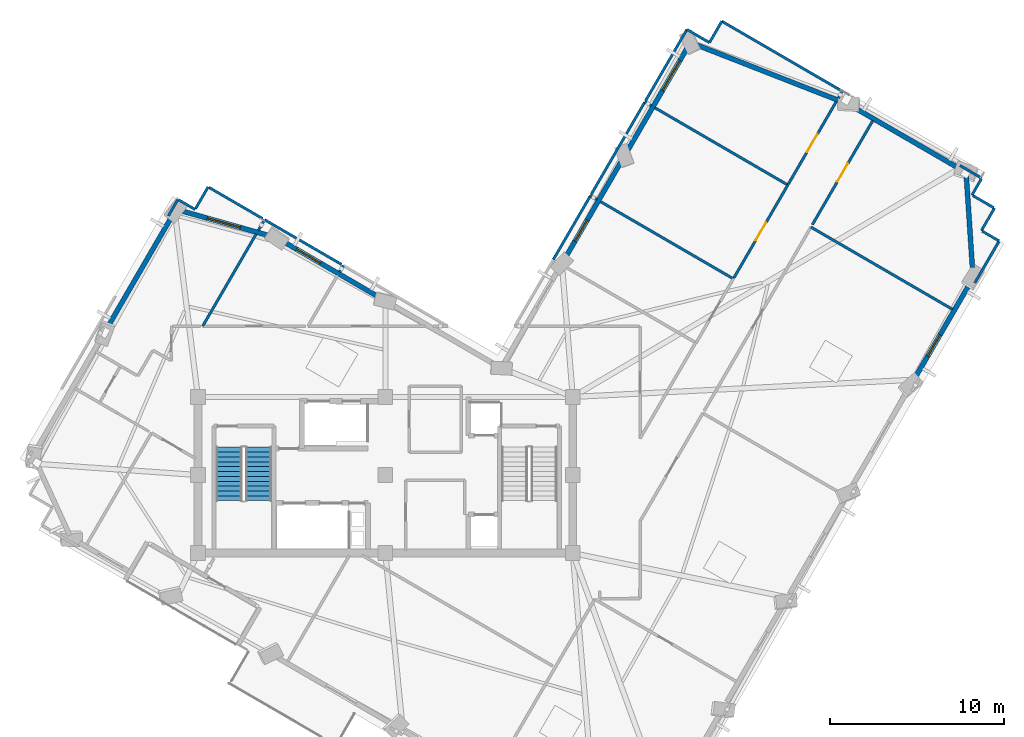
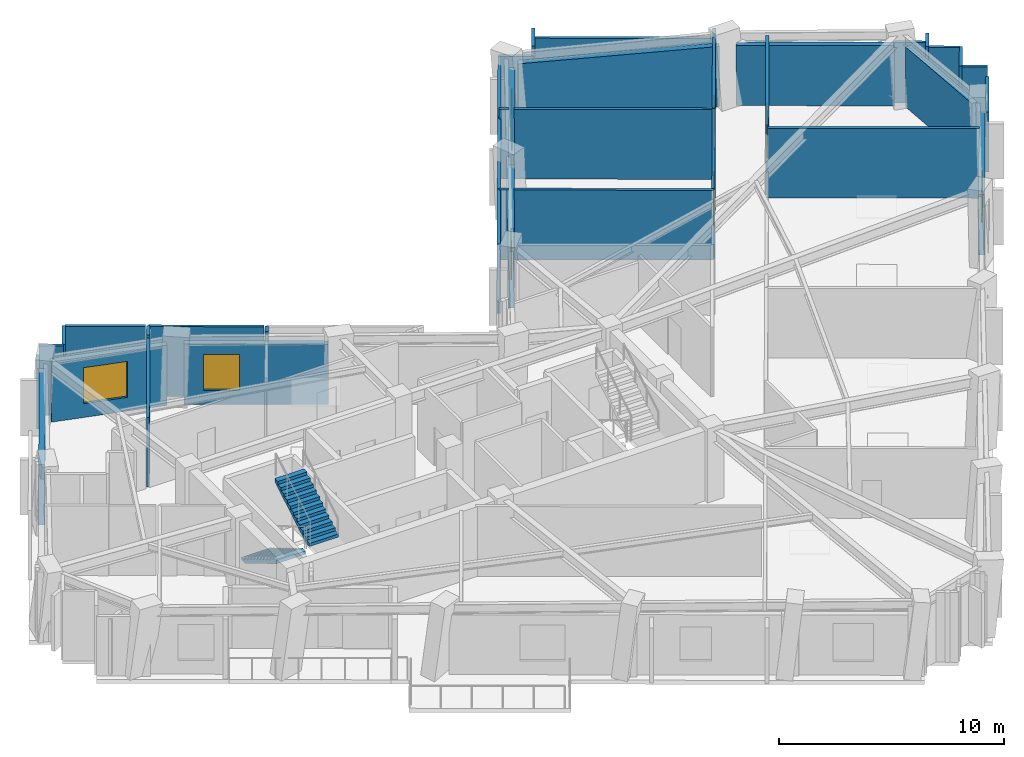
# One storey, part 7 of 12: 38 walls, 5 windows, 3 doors, 2 stair flights, 8 openings, 1 element without a shape of its own.
"""IFC4 building model written with IfcOpenShell, lengths in metres."""

from ifc_helpers import new_model, si_unit, direction, frame, frame_2d, origin, place, context, subcontext, project, spatial, polyline, rectangle, outline, extrude, material, layer, layer_set, type_object, element, fill, aggregate, save


model = new_model("IFC4")

# Units and contexts
model_context = context("Model", 3, precision=1e-05, world=origin(), true_north=direction((0.0, 1.0)))
body_context = subcontext(model_context, "Body", "Model", "MODEL_VIEW")
ifc_project = project(units=[si_unit("LENGTHUNIT", "METRE"), si_unit("AREAUNIT", "SQUARE_METRE"), si_unit("VOLUMEUNIT", "CUBIC_METRE"), si_unit("PLANEANGLEUNIT", "RADIAN"), si_unit("MASSUNIT", "GRAM", prefix="KILO")], contexts=[model_context])

# Site, building, storey
site_placement = place(None, origin())
site = spatial("IfcSite", under=ifc_project, at=site_placement, CompositionType="ELEMENT")
building_placement = place(site_placement, origin())
building = spatial("IfcBuilding", under=site, at=building_placement, Name="Gaonmaruhae Medical Tower", CompositionType="ELEMENT")
storey_placement = place(building_placement, frame((0.0, 0.0, 280.60009765625)))
storey = spatial("IfcBuildingStorey", under=building, at=storey_placement, Name="L67", CompositionType="ELEMENT", Elevation=280.60009765625)

# Wall, opening, window
ifc_material_1 = material(Name="Precast concrete C45/55", Category="concrete")
ifc_layer_1 = layer(ifc_material_1, 0.280029296875)
ifc_layer_set_1 = layer_set([ifc_layer_1], Name="Precast concrete C45/55")
wall_type_1 = type_object("IfcWallType", Name="EW-280 Upper Precast Masonry-Frame Facade Wall", PredefinedType="SOLIDWALL", material=ifc_layer_set_1)
wall_1_placement = place(storey_placement, frame((58.564697265625, 23.48095703125, 0.0), z_axis=(0.0, 0.0, 1.0), x_axis=(-0.502254807132, -0.864719670594, 0.0)))
wall_1 = element("IfcWall", 1, at=wall_1_placement, inside=storey, type_object=wall_type_1, Name="L67 Precast Masonry-Frame Wall S05-S06", PredefinedType="SOLIDWALL", context=body_context, shape_type="SweptSolid", body=[
    extrude(rectangle(XDim=6.418212890625, YDim=0.280029296875, at=frame_2d((3.208984375, 0.0))), origin(), (0.0, 0.0, 1.0), 3.264892578125),
])
opening_1_placement = place(wall_1_placement, frame((3.593017578125, 0.0, 0.75)))
opening_1 = element("IfcOpeningElement", 2, at=opening_1_placement, cuts=wall_1, Name="Opening WN-03", PredefinedType="OPENING", context=body_context, shape_type="SweptSolid", body=[
    extrude(rectangle(XDim=1.39990234375, YDim=1.85009765625, at=frame_2d((0.699951171875, 0.925048828125))), frame((0.0, 0.14990234375, 0.0), z_axis=(0.0, -1.0, 0.0), x_axis=(1.0, 0.0, 0.0)), (0.0, 0.0, 1.0), 0.300048828125),
])
ifc_material_2 = material(Name="Anodised aluminium and Low-E double glazing", Category="aluminium")
window_type_1 = type_object("IfcWindowType", Name="WN-03 Isolation Ward Punched Window 1400x1850", PartitioningType="SINGLE_PANEL", PredefinedType="WINDOW", material=ifc_material_2)
window_1_placement = place(opening_1_placement, origin())
window_1 = element("IfcWindow", 3, at=window_1_placement, inside=storey, type_object=window_type_1, Name="L67 Modular Facade Window S05", OverallHeight=1.85009765625, OverallWidth=1.39990234375, PartitioningType="SINGLE_PANEL", PredefinedType="WINDOW", context=body_context, shape_type="SweptSolid", body=[
    extrude(rectangle(XDim=1.39990234375, YDim=1.85009765625, at=frame_2d((0.699951171875, 0.925048828125))), frame((0.0, 0.030029296875, 0.0), z_axis=(0.0, -1.0, 0.0), x_axis=(1.0, 0.0, 0.0)), (0.0, 0.0, 1.0), 0.06005859375),
])
fill(opening_1, window_1)

# Walls
wall_2_placement = place(storey_placement, frame((58.275146484375, 29.540283203125, 0.0), z_axis=(0.0, 0.0, 1.0), x_axis=(0.066313938445, -0.997798808161, 0.0)))
element("IfcWall", 4, at=wall_2_placement, inside=storey, type_object=wall_type_1, Name="L67 Precast Masonry-Frame Wall S06-E01", PredefinedType="SOLIDWALL", context=body_context, shape_type="SweptSolid", body=[
    extrude(rectangle(XDim=5.294189453125, YDim=0.280029296875, at=frame_2d((2.64697265625, 0.0))), origin(), (0.0, 0.0, 1.0), 3.264892578125),
])
wall_3_placement = place(storey_placement, frame((51.732421875, 33.522705078125, 0.0), z_axis=(0.0, 0.0, 1.0), x_axis=(0.864724875951, -0.502245845091, 0.0)))
element("IfcWall", 5, at=wall_3_placement, inside=storey, type_object=wall_type_1, Name="L67 Precast Masonry-Frame Wall E01-E02", PredefinedType="SOLIDWALL", context=body_context, shape_type="SweptSolid", body=[
    extrude(rectangle(XDim=7.04638671875, YDim=0.280029296875, at=frame_2d((3.523193359375, 0.0))), origin(), (0.0, 0.0, 1.0), 3.264892578125),
])
wall_4_placement = place(storey_placement, frame((42.631591796875, 37.12255859375, 0.0), z_axis=(0.0, 0.0, 1.0), x_axis=(0.931312918813, -0.364220053335, 0.0)))
element("IfcWall", 6, at=wall_4_placement, inside=storey, type_object=wall_type_1, Name="L67 Precast Masonry-Frame Wall E02-E03", PredefinedType="SOLIDWALL", context=body_context, shape_type="SweptSolid", body=[
    extrude(rectangle(XDim=9.036376953125, YDim=0.280029296875, at=frame_2d((4.51806640625, 0.0))), origin(), (0.0, 0.0, 1.0), 3.264892578125),
])

# Wall, opening, window
wall_5_placement = place(storey_placement, frame((38.787109375, 31.04248046875, 0.0), z_axis=(0.0, 0.0, 1.0), x_axis=(0.502269295317, 0.864711255265, 0.0)))
wall_5 = element("IfcWall", 7, at=wall_5_placement, inside=storey, type_object=wall_type_1, Name="L67 Precast Masonry-Frame Wall E03-EN01", PredefinedType="SOLIDWALL", context=body_context, shape_type="SweptSolid", body=[
    extrude(rectangle(XDim=6.77978515625, YDim=0.280029296875, at=frame_2d((3.389892578125, 0.0))), origin(), (0.0, 0.0, 1.0), 3.264892578125),
])
opening_2_placement = place(wall_5_placement, frame((3.95263671875, 0.0, 0.75)))
opening_2 = element("IfcOpeningElement", 8, at=opening_2_placement, cuts=wall_5, Name="Opening WN-02", PredefinedType="OPENING", context=body_context, shape_type="SweptSolid", body=[
    extrude(rectangle(XDim=2.0, YDim=1.949951171875, at=frame_2d((1.0, 0.97509765625))), frame((0.0, 0.14990234375, 0.0), z_axis=(0.0, -1.0, 0.0), x_axis=(1.0, 0.0, 0.0)), (0.0, 0.0, 1.0), 0.300048828125),
])
window_type_2 = type_object("IfcWindowType", Name="WN-02 Double-Bed Ward Punched Window 2000x1950", PartitioningType="SINGLE_PANEL", PredefinedType="WINDOW", material=ifc_material_2)
window_2_placement = place(opening_2_placement, origin())
window_2 = element("IfcWindow", 9, at=window_2_placement, inside=storey, type_object=window_type_2, Name="L67 Modular Facade Window E03", OverallHeight=1.949951171875, OverallWidth=2.0, PartitioningType="SINGLE_PANEL", PredefinedType="WINDOW", context=body_context, shape_type="SweptSolid", body=[
    extrude(rectangle(XDim=2.0, YDim=1.949951171875, at=frame_2d((1.0, 0.97509765625))), frame((0.0, 0.030029296875, 0.0), z_axis=(0.0, -1.0, 0.0), x_axis=(1.0, 0.0, 0.0)), (0.0, 0.0, 1.0), 0.06005859375),
])
fill(opening_2, window_2)

wall_6_placement = place(storey_placement, frame((35.173583984375, 24.8212890625, 0.0), z_axis=(0.0, 0.0, 1.0), x_axis=(0.502271513322, 0.864709966928, 0.0)))
wall_6 = element("IfcWall", 10, at=wall_6_placement, inside=storey, type_object=wall_type_1, Name="L67 Precast Masonry-Frame Wall EN01-EN02", PredefinedType="SOLIDWALL", context=body_context, shape_type="SweptSolid", body=[
    extrude(rectangle(XDim=6.409423828125, YDim=0.280029296875, at=frame_2d((3.20458984375, 0.0))), origin(), (0.0, 0.0, 1.0), 3.264892578125),
])
opening_3_placement = place(wall_6_placement, frame((1.1005859375, 0.0, 0.75)))
opening_3 = element("IfcOpeningElement", 11, at=opening_3_placement, cuts=wall_6, Name="Opening WN-03", PredefinedType="OPENING", context=body_context, shape_type="SweptSolid", body=[
    extrude(rectangle(XDim=1.39990234375, YDim=1.85009765625, at=frame_2d((0.699951171875, 0.925048828125))), frame((0.0, 0.14990234375, 0.0), z_axis=(0.0, -1.0, 0.0), x_axis=(1.0, 0.0, 0.0)), (0.0, 0.0, 1.0), 0.300048828125),
])
window_3_placement = place(opening_3_placement, origin())
window_3 = element("IfcWindow", 12, at=window_3_placement, inside=storey, type_object=window_type_1, Name="L67 Modular Facade Window EN01", OverallHeight=1.85009765625, OverallWidth=1.39990234375, PartitioningType="SINGLE_PANEL", PredefinedType="WINDOW", context=body_context, shape_type="SweptSolid", body=[
    extrude(rectangle(XDim=1.39990234375, YDim=1.85009765625, at=frame_2d((0.699951171875, 0.925048828125))), frame((0.0, 0.030029296875, 0.0), z_axis=(0.0, -1.0, 0.0), x_axis=(1.0, 0.0, 0.0)), (0.0, 0.0, 1.0), 0.06005859375),
])
fill(opening_3, window_3)

wall_7_placement = place(storey_placement, frame((18.927490234375, 25.747802734375, 0.0), z_axis=(0.0, 0.0, 1.0), x_axis=(0.864706423905, -0.502277612936, 0.0)))
wall_7 = element("IfcWall", 13, at=wall_7_placement, inside=storey, type_object=wall_type_1, Name="L67 Precast Masonry-Frame Wall NE01-NE02", PredefinedType="SOLIDWALL", context=body_context, shape_type="SweptSolid", body=[
    extrude(rectangle(XDim=6.42431640625, YDim=0.280029296875, at=frame_2d((3.212158203125, 0.0))), origin(), (0.0, 0.0, 1.0), 3.264892578125),
])
opening_4_placement = place(wall_7_placement, frame((0.876220703125, 0.0, 0.75)))
opening_4 = element("IfcOpeningElement", 14, at=opening_4_placement, cuts=wall_7, Name="Opening WN-01", PredefinedType="OPENING", context=body_context, shape_type="SweptSolid", body=[
    extrude(rectangle(XDim=1.60009765625, YDim=1.949951171875, at=frame_2d((0.800048828125, 0.97509765625))), frame((0.0, 0.14990234375, 0.0), z_axis=(0.0, -1.0, 0.0), x_axis=(1.0, 0.0, 0.0)), (0.0, 0.0, 1.0), 0.300048828125),
])
window_type_3 = type_object("IfcWindowType", Name="WN-01 Ward Punched Acoustic Window 1600x1950", PartitioningType="SINGLE_PANEL", PredefinedType="WINDOW", material=ifc_material_2)
window_4_placement = place(opening_4_placement, origin())
window_4 = element("IfcWindow", 15, at=window_4_placement, inside=storey, type_object=window_type_3, Name="L67 Modular Facade Window NE01", OverallHeight=1.949951171875, OverallWidth=1.60009765625, PartitioningType="SINGLE_PANEL", PredefinedType="WINDOW", context=body_context, shape_type="SweptSolid", body=[
    extrude(rectangle(XDim=1.60009765625, YDim=1.949951171875, at=frame_2d((0.800048828125, 0.97509765625))), frame((0.0, 0.030029296875, 0.0), z_axis=(0.0, -1.0, 0.0), x_axis=(1.0, 0.0, 0.0)), (0.0, 0.0, 1.0), 0.06005859375),
])
fill(opening_4, window_4)

wall_8_placement = place(storey_placement, frame((13.10791015625, 27.503662109375, 0.0), z_axis=(0.0, 0.0, 1.0), x_axis=(0.962367273923, -0.271752148256, 0.0)))
wall_8 = element("IfcWall", 16, at=wall_8_placement, inside=storey, type_object=wall_type_1, Name="L67 Precast Masonry-Frame Wall NE02-N01", PredefinedType="SOLIDWALL", context=body_context, shape_type="SweptSolid", body=[
    extrude(rectangle(XDim=5.30224609375, YDim=0.280029296875, at=frame_2d((2.651123046875, 0.0))), origin(), (0.0, 0.0, 1.0), 3.264892578125),
])
opening_5_placement = place(wall_8_placement, frame((1.475341796875, 0.0, 0.75)))
opening_5 = element("IfcOpeningElement", 17, at=opening_5_placement, cuts=wall_8, Name="Opening WN-02", PredefinedType="OPENING", context=body_context, shape_type="SweptSolid", body=[
    extrude(rectangle(XDim=2.0, YDim=1.949951171875, at=frame_2d((1.0, 0.97509765625))), frame((0.0, 0.14990234375, 0.0), z_axis=(0.0, -1.0, 0.0), x_axis=(1.0, 0.0, 0.0)), (0.0, 0.0, 1.0), 0.300048828125),
])
window_5_placement = place(opening_5_placement, origin())
window_5 = element("IfcWindow", 18, at=window_5_placement, inside=storey, type_object=window_type_2, Name="L67 Modular Facade Window NE02", OverallHeight=1.949951171875, OverallWidth=2.0, PartitioningType="SINGLE_PANEL", PredefinedType="WINDOW", context=body_context, shape_type="SweptSolid", body=[
    extrude(rectangle(XDim=2.0, YDim=1.949951171875, at=frame_2d((1.0, 0.97509765625))), frame((0.0, 0.030029296875, 0.0), z_axis=(0.0, -1.0, 0.0), x_axis=(1.0, 0.0, 0.0)), (0.0, 0.0, 1.0), 0.06005859375),
])
fill(opening_5, window_5)

# Walls
wall_9_placement = place(storey_placement, frame((8.726806640625, 20.701904296875, 0.0), z_axis=(0.0, 0.0, 1.0), x_axis=(0.502244841537, 0.86472545883, 0.0)))
element("IfcWall", 19, at=wall_9_placement, inside=storey, type_object=wall_type_1, Name="L67 Precast Masonry-Frame Wall N01-N02", PredefinedType="SOLIDWALL", context=body_context, shape_type="SweptSolid", body=[
    extrude(rectangle(XDim=7.434326171875, YDim=0.280029296875, at=frame_2d((3.71728515625, 0.0))), origin(), (0.0, 0.0, 1.0), 3.264892578125),
])
ifc_material_3 = material(Name="Gypsum board partition", Category="gypsum")
ifc_layer_2 = layer(ifc_material_3, 0.14990234375)
ifc_layer_set_2 = layer_set([ifc_layer_2], Name="Gypsum board partition")
wall_type_2 = type_object("IfcWallType", Name="PW-150 Rated Clinical Corridor Partition", PredefinedType="PARTITIONING", material=ifc_layer_set_2)
wall_10_placement = place(storey_placement, frame((49.322998046875, 26.583984375, 0.0), z_axis=(0.0, 0.0, 1.0), x_axis=(0.864716809852, -0.502259732369, 0.0)))
element("IfcWall", 20, at=wall_10_placement, inside=storey, type_object=wall_type_2, Name="L67 Interior Partition L67-SUP03-25", PredefinedType="PARTITIONING", context=body_context, shape_type="SweptSolid", body=[
    extrude(rectangle(XDim=9.435302734375, YDim=0.14990234375, at=frame_2d((4.7177734375, 0.0))), origin(), (0.0, 0.0, 1.0), 3.77978515625),
])
wall_11_placement = place(storey_placement, frame((59.904052734375, 27.677978515625, 0.0), z_axis=(0.0, 0.0, 1.0), x_axis=(-0.502210133322, -0.864745616923, 0.0)))
element("IfcWall", 21, at=wall_11_placement, inside=storey, type_object=wall_type_2, Name="L67 Interior Partition L67-SUP04-28", PredefinedType="PARTITIONING", context=body_context, shape_type="SweptSolid", body=[
    extrude(rectangle(XDim=1.499755859375, YDim=0.14990234375, at=frame_2d((0.75, 0.0))), origin(), (0.0, 0.0, 1.0), 3.77978515625),
])
wall_12_placement = place(storey_placement, frame((59.194091796875, 26.35595703125, 0.0), z_axis=(0.0, 0.0, 1.0), x_axis=(0.864522470603, -0.502594168114, 0.0)))
element("IfcWall", 22, at=wall_12_placement, inside=storey, type_object=wall_type_2, Name="L67 Interior Partition L67-SUP04-29", PredefinedType="PARTITIONING", context=body_context, shape_type="SweptSolid", body=[
    extrude(rectangle(XDim=1.1298828125, YDim=0.14990234375, at=frame_2d((0.56494140625, 0.0))), origin(), (0.0, 0.0, 1.0), 3.77978515625),
])
wall_13_placement = place(storey_placement, frame((60.14599609375, 25.7451171875, 0.0), z_axis=(0.0, 0.0, 1.0), x_axis=(-0.502154776785, -0.864777763447, 0.0)))
element("IfcWall", 23, at=wall_13_placement, inside=storey, type_object=wall_type_2, Name="L67 Interior Partition L67-SUP04-30", PredefinedType="PARTITIONING", context=body_context, shape_type="SweptSolid", body=[
    extrude(rectangle(XDim=2.752197265625, YDim=0.14990234375, at=frame_2d((1.3759765625, 0.0))), origin(), (0.0, 0.0, 1.0), 3.264892578125),
])

# Wall, opening, door
wall_14_placement = place(storey_placement, frame((49.404052734375, 26.721923828125, 0.0), z_axis=(0.0, 0.0, 1.0), x_axis=(0.502215346727, 0.864742589163, 0.0)))
wall_14 = element("IfcWall", 24, at=wall_14_placement, inside=storey, type_object=wall_type_2, Name="L67 Interior Partition L67-SUP04-31", PredefinedType="PARTITIONING", context=body_context, shape_type="SweptSolid", body=[
    extrude(rectangle(XDim=6.93505859375, YDim=0.14990234375, at=frame_2d((3.467529296875, 0.0))), origin(), (0.0, 0.0, 1.0), 3.77978515625),
])
opening_6_placement = place(wall_14_placement, frame((2.867431640625, 0.0, 0.0)))
opening_6 = element("IfcOpeningElement", 25, at=opening_6_placement, cuts=wall_14, Name="Opening CD-02", PredefinedType="OPENING", context=body_context, shape_type="SweptSolid", body=[
    extrude(rectangle(XDim=1.199951171875, YDim=2.14990234375, at=frame_2d((0.60009765625, 1.074951171875))), frame((0.0, 0.0849609375, 0.0), z_axis=(0.0, -1.0, 0.0), x_axis=(1.0, 0.0, 0.0)), (0.0, 0.0, 1.0), 0.169921875),
])
ifc_material_4 = material(Name="Antimicrobial laminate timber fire door", Category="wood")
door_type = type_object("IfcDoorType", Name="CD-02 Clinical Treatment & Procedure Door 1200x2150", OperationType="NOTDEFINED", PredefinedType="DOOR", material=ifc_material_4)
door_1_placement = place(opening_6_placement, origin())
door_1 = element("IfcDoor", 26, at=door_1_placement, inside=storey, type_object=door_type, Name="L67 Clinical Biomedical Charting Office Door", OperationType="SINGLE_SWING_RIGHT", OverallHeight=2.14990234375, OverallWidth=1.199951171875, PredefinedType="DOOR", context=body_context, shape_type="SweptSolid", body=[
    extrude(rectangle(XDim=1.199951171875, YDim=2.14990234375, at=frame_2d((0.60009765625, 1.074951171875))), frame((0.0, 0.02490234375, 0.0), z_axis=(0.0, -1.0, 0.0), x_axis=(1.0, 0.0, 0.0)), (0.0, 0.0, 1.0), 0.050048828125),
])
fill(opening_6, door_1)

# Walls
wall_15_placement = place(storey_placement, frame((57.910888671875, 30.131103515625, 0.0), z_axis=(0.0, 0.0, 1.0), x_axis=(0.86457499648, -0.502503806415, 0.0)))
element("IfcWall", 27, at=wall_15_placement, inside=storey, type_object=wall_type_2, Name="L67 Interior Partition L67-SUP04-32", PredefinedType="PARTITIONING", context=body_context, shape_type="SweptSolid", body=[
    extrude(rectangle(XDim=1.455078125, YDim=0.14990234375, at=frame_2d((0.7275390625, 0.0))), origin(), (0.0, 0.0, 1.0), 3.264892578125),
])
wall_16_placement = place(storey_placement, frame((59.14404296875, 29.35693359375, 0.0), z_axis=(0.0, 0.0, 1.0), x_axis=(-0.501728328812, -0.865025250538, 0.0)))
element("IfcWall", 28, at=wall_16_placement, inside=storey, type_object=wall_type_2, Name="L67 Interior Partition L67-SUP04-33", PredefinedType="PARTITIONING", context=body_context, shape_type="SweptSolid", body=[
    extrude(rectangle(XDim=1.070556640625, YDim=0.14990234375, at=frame_2d((0.53515625, 0.0))), origin(), (0.0, 0.0, 1.0), 3.77978515625),
])
wall_17_placement = place(storey_placement, frame((58.64990234375, 28.406005859375, 0.0), z_axis=(0.0, 0.0, 1.0), x_axis=(0.86483289795, -0.502059815782, 0.0)))
element("IfcWall", 29, at=wall_17_placement, inside=storey, type_object=wall_type_2, Name="L67 Interior Partition L67-SUP04-34", PredefinedType="PARTITIONING", context=body_context, shape_type="SweptSolid", body=[
    extrude(rectangle(XDim=1.400390625, YDim=0.14990234375, at=frame_2d((0.7001953125, 0.0))), origin(), (0.0, 0.0, 1.0), 3.77978515625),
])
wall_18_placement = place(storey_placement, frame((22.162109375, 24.001953125, 0.0), z_axis=(0.0, 0.0, 1.0), x_axis=(0.501213456245, 0.865323680064, 0.0)))
element("IfcWall", 30, at=wall_18_placement, inside=storey, type_object=wall_type_2, Name="L67 Interior Partition L67-IN01-59", PredefinedType="PARTITIONING", context=body_context, shape_type="SweptSolid", body=[
    extrude(rectangle(XDim=0.4345703125, YDim=0.14990234375, at=frame_2d((0.21728515625, 0.0))), origin(), (0.0, 0.0, 1.0), 3.77978515625),
])
wall_19_placement = place(storey_placement, frame((14.277099609375, 20.8798828125, 0.0), z_axis=(0.0, 0.0, 1.0), x_axis=(0.502251695272, 0.864721478047, 0.0)))
element("IfcWall", 31, at=wall_19_placement, inside=storey, type_object=wall_type_2, Name="L67 Interior Partition L67-IN02-64", PredefinedType="PARTITIONING", context=body_context, shape_type="SweptSolid", body=[
    extrude(rectangle(XDim=6.134033203125, YDim=0.14990234375, at=frame_2d((3.06689453125, 0.0))), origin(), (0.0, 0.0, 1.0), 3.77978515625),
])
wall_20_placement = place(storey_placement, frame((17.47802734375, 26.388916015625, 0.0), z_axis=(0.0, 0.0, 1.0), x_axis=(0.501687794716, 0.865048759685, 0.0)))
element("IfcWall", 32, at=wall_20_placement, inside=storey, type_object=wall_type_2, Name="L67 Interior Partition L67-IN02-65", PredefinedType="PARTITIONING", context=body_context, shape_type="SweptSolid", body=[
    extrude(rectangle(XDim=0.7236328125, YDim=0.14990234375, at=frame_2d((0.36181640625, 0.0))), origin(), (0.0, 0.0, 1.0), 3.77978515625),
])
wall_21_placement = place(storey_placement, frame((17.841064453125, 27.014892578125, 0.0), z_axis=(0.0, 0.0, 1.0), x_axis=(0.864692271202, -0.502301977025, 0.0)))
element("IfcWall", 33, at=wall_21_placement, inside=storey, type_object=wall_type_2, Name="L67 Interior Partition L67-IN02-66", PredefinedType="PARTITIONING", context=body_context, shape_type="SweptSolid", body=[
    extrude(rectangle(XDim=5.130126953125, YDim=0.14990234375, at=frame_2d((2.56494140625, 0.0))), origin(), (0.0, 0.0, 1.0), 3.77978515625),
])
wall_22_placement = place(storey_placement, frame((12.2958984375, 27.22607421875, 0.0), z_axis=(0.0, 0.0, 1.0), x_axis=(0.502755182261, 0.864428844214, 0.0)))
element("IfcWall", 34, at=wall_22_placement, inside=storey, type_object=wall_type_2, Name="L67 Interior Partition L67-IN03-72", PredefinedType="PARTITIONING", context=body_context, shape_type="SweptSolid", body=[
    extrude(rectangle(XDim=1.102294921875, YDim=0.14990234375, at=frame_2d((0.55126953125, 0.0))), origin(), (0.0, 0.0, 1.0), 3.264892578125),
])
wall_23_placement = place(storey_placement, frame((12.89306640625, 28.154052734375, 0.0), z_axis=(0.0, 0.0, 1.0), x_axis=(0.864930085102, -0.501892366834, 0.0)))
element("IfcWall", 35, at=wall_23_placement, inside=storey, type_object=wall_type_2, Name="L67 Interior Partition L67-IN03-73", PredefinedType="PARTITIONING", context=body_context, shape_type="SweptSolid", body=[
    extrude(rectangle(XDim=1.090087890625, YDim=0.14990234375, at=frame_2d((0.544921875, 0.0))), origin(), (0.0, 0.0, 1.0), 3.77978515625),
])
wall_24_placement = place(storey_placement, frame((13.861083984375, 27.64990234375, 0.0), z_axis=(0.0, 0.0, 1.0), x_axis=(0.502038037951, 0.864845540227, 0.0)))
element("IfcWall", 36, at=wall_24_placement, inside=storey, type_object=wall_type_2, Name="L67 Interior Partition L67-IN03-74", PredefinedType="PARTITIONING", context=body_context, shape_type="SweptSolid", body=[
    extrude(rectangle(XDim=1.4501953125, YDim=0.14990234375, at=frame_2d((0.72509765625, 0.0))), origin(), (0.0, 0.0, 1.0), 3.77978515625),
])
wall_25_placement = place(storey_placement, frame((14.632080078125, 28.87890625, 0.0), z_axis=(0.0, 0.0, 1.0), x_axis=(0.864660351157, -0.502356922055, 0.0)))
element("IfcWall", 37, at=wall_25_placement, inside=storey, type_object=wall_type_2, Name="L67 Interior Partition L67-IN03-75", PredefinedType="PARTITIONING", context=body_context, shape_type="SweptSolid", body=[
    extrude(rectangle(XDim=3.591064453125, YDim=0.14990234375, at=frame_2d((1.79541015625, 0.0))), origin(), (0.0, 0.0, 1.0), 3.77978515625),
])
wall_26_placement = place(storey_placement, frame((36.612060546875, 28.39306640625, 0.0), z_axis=(0.0, 0.0, 1.0), x_axis=(0.864104336866, -0.503312720889, 0.0)))
element("IfcWall", 38, at=wall_26_placement, inside=storey, type_object=wall_type_2, Name="L67 Interior Partition L67-RM04-84", PredefinedType="PARTITIONING", context=body_context, shape_type="SweptSolid", body=[
    extrude(rectangle(XDim=0.43505859375, YDim=0.14990234375, at=frame_2d((0.217529296875, 0.0))), origin(), (0.0, 0.0, 1.0), 3.77978515625),
])
wall_27_placement = place(storey_placement, frame((37.18701171875, 28.05908203125, 0.0), z_axis=(0.0, 0.0, 1.0), x_axis=(0.864744193966, -0.502212583477, 0.0)))
element("IfcWall", 39, at=wall_27_placement, inside=storey, type_object=wall_type_2, Name="L67 Interior Partition L67-RM04-85", PredefinedType="PARTITIONING", context=body_context, shape_type="SweptSolid", body=[
    extrude(rectangle(XDim=8.864990234375, YDim=0.14990234375, at=frame_2d((4.4326171875, 0.0))), origin(), (0.0, 0.0, 1.0), 3.77978515625),
])
wall_28_placement = place(storey_placement, frame((34.47607421875, 24.716064453125, 0.0), z_axis=(0.0, 0.0, 1.0), x_axis=(0.502303099222, 0.864691619314, 0.0)))
element("IfcWall", 40, at=wall_28_placement, inside=storey, type_object=wall_type_2, Name="L67 Interior Partition L67-RM04-87", PredefinedType="PARTITIONING", context=body_context, shape_type="SweptSolid", body=[
    extrude(rectangle(XDim=4.25244140625, YDim=0.14990234375, at=frame_2d((2.126220703125, 0.0))), origin(), (0.0, 0.0, 1.0), 3.77978515625),
])
wall_29_placement = place(storey_placement, frame((36.64208984375, 28.445068359375, 0.0), z_axis=(0.0, 0.0, 1.0), x_axis=(0.502217339736, 0.864741431683, 0.0)))
element("IfcWall", 41, at=wall_29_placement, inside=storey, type_object=wall_type_2, Name="L67 Interior Partition L67-RM05-88", PredefinedType="PARTITIONING", context=body_context, shape_type="SweptSolid", body=[
    extrude(rectangle(XDim=6.1904296875, YDim=0.14990234375, at=frame_2d((3.09521484375, 0.0))), origin(), (0.0, 0.0, 1.0), 3.264892578125),
])
wall_30_placement = place(storey_placement, frame((39.7509765625, 33.798095703125, 0.0), z_axis=(0.0, 0.0, 1.0), x_axis=(0.864671253243, -0.502338156838, 0.0)))
element("IfcWall", 42, at=wall_30_placement, inside=storey, type_object=wall_type_2, Name="L67 Interior Partition L67-RM05-89", PredefinedType="PARTITIONING", context=body_context, shape_type="SweptSolid", body=[
    extrude(rectangle(XDim=0.43603515625, YDim=0.14990234375, at=frame_2d((0.218017578125, 0.0))), origin(), (0.0, 0.0, 1.0), 3.77978515625),
])
wall_31_placement = place(storey_placement, frame((40.326904296875, 33.464111328125, 0.0), z_axis=(0.0, 0.0, 1.0), x_axis=(0.864668557015, -0.502342797807, 0.0)))
element("IfcWall", 43, at=wall_31_placement, inside=storey, type_object=wall_type_2, Name="L67 Interior Partition L67-RM05-90", PredefinedType="PARTITIONING", context=body_context, shape_type="SweptSolid", body=[
    extrude(rectangle(XDim=8.86474609375, YDim=0.14990234375, at=frame_2d((4.432373046875, 0.0))), origin(), (0.0, 0.0, 1.0), 3.77978515625),
])

# Wall, opening, door
wall_32_placement = place(storey_placement, frame((47.991943359375, 29.010986328125, 0.0), z_axis=(0.0, 0.0, 1.0), x_axis=(-0.502217339736, -0.864741431683, 0.0)))
wall_32 = element("IfcWall", 44, at=wall_32_placement, inside=storey, type_object=wall_type_2, Name="L67 Interior Partition L67-RM05-91", PredefinedType="PARTITIONING", context=body_context, shape_type="SweptSolid", body=[
    extrude(rectangle(XDim=6.1904296875, YDim=0.14990234375, at=frame_2d((3.09521484375, 0.0))), origin(), (0.0, 0.0, 1.0), 3.77978515625),
])
opening_7_placement = place(wall_32_placement, frame((2.4951171875, 0.0, 0.0)))
opening_7 = element("IfcOpeningElement", 45, at=opening_7_placement, cuts=wall_32, Name="Opening CD-02", PredefinedType="OPENING", context=body_context, shape_type="SweptSolid", body=[
    extrude(rectangle(XDim=1.199951171875, YDim=2.14990234375, at=frame_2d((0.60009765625, 1.074951171875))), frame((0.0, 0.0849609375, 0.0), z_axis=(0.0, -1.0, 0.0), x_axis=(1.0, 0.0, 0.0)), (0.0, 0.0, 1.0), 0.169921875),
])
door_2_placement = place(opening_7_placement, origin())
door_2 = element("IfcDoor", 46, at=door_2_placement, inside=storey, type_object=door_type, Name="L67 Clinical Case Review Office Door", OperationType="SINGLE_SWING_RIGHT", OverallHeight=2.14990234375, OverallWidth=1.199951171875, PredefinedType="DOOR", context=body_context, shape_type="SweptSolid", body=[
    extrude(rectangle(XDim=1.199951171875, YDim=2.14990234375, at=frame_2d((0.60009765625, 1.074951171875))), frame((0.0, 0.02490234375, 0.0), z_axis=(0.0, -1.0, 0.0), x_axis=(1.0, 0.0, 0.0)), (0.0, 0.0, 1.0), 0.050048828125),
])
fill(opening_7, door_2)

# Walls
wall_33_placement = place(storey_placement, frame((39.781982421875, 33.85009765625, 0.0), z_axis=(0.0, 0.0, 1.0), x_axis=(0.50220220608, 0.864750220704, 0.0)))
element("IfcWall", 47, at=wall_33_placement, inside=storey, type_object=wall_type_2, Name="L67 Interior Partition L67-RM06-92", PredefinedType="PARTITIONING", context=body_context, shape_type="SweptSolid", body=[
    extrude(rectangle(XDim=4.76904296875, YDim=0.14990234375, at=frame_2d((2.384521484375, 0.0))), origin(), (0.0, 0.0, 1.0), 3.264892578125),
])
wall_34_placement = place(storey_placement, frame((42.177001953125, 37.97412109375, 0.0), z_axis=(0.0, 0.0, 1.0), x_axis=(0.864786666582, -0.502139444081, 0.0)))
element("IfcWall", 48, at=wall_34_placement, inside=storey, type_object=wall_type_2, Name="L67 Interior Partition L67-RM06-93", PredefinedType="PARTITIONING", context=body_context, shape_type="SweptSolid", body=[
    extrude(rectangle(XDim=1.5, YDim=0.14990234375, at=frame_2d((0.75, 0.0))), origin(), (0.0, 0.0, 1.0), 3.264892578125),
])
wall_35_placement = place(storey_placement, frame((43.47412109375, 37.220947265625, 0.0), z_axis=(0.0, 0.0, 1.0), x_axis=(0.502566684229, 0.864538447904, 0.0)))
element("IfcWall", 49, at=wall_35_placement, inside=storey, type_object=wall_type_2, Name="L67 Interior Partition L67-RM06-94", PredefinedType="PARTITIONING", context=body_context, shape_type="SweptSolid", body=[
    extrude(rectangle(XDim=1.42041015625, YDim=0.14990234375, at=frame_2d((0.710205078125, 0.0))), origin(), (0.0, 0.0, 1.0), 3.77978515625),
])
wall_36_placement = place(storey_placement, frame((44.18798828125, 38.448974609375, 0.0), z_axis=(0.0, 0.0, 1.0), x_axis=(0.864656464367, -0.502363611967, 0.0)))
element("IfcWall", 50, at=wall_36_placement, inside=storey, type_object=wall_type_2, Name="L67 Interior Partition L67-RM06-95", PredefinedType="PARTITIONING", context=body_context, shape_type="SweptSolid", body=[
    extrude(rectangle(XDim=8.030029296875, YDim=0.14990234375, at=frame_2d((4.01513671875, 0.0))), origin(), (0.0, 0.0, 1.0), 3.264892578125),
])
wall_37_placement = place(storey_placement, frame((51.131103515625, 34.4150390625, 0.0), z_axis=(0.0, 0.0, 1.0), x_axis=(-0.501615897118, -0.865090452935, 0.0)))
element("IfcWall", 51, at=wall_37_placement, inside=storey, type_object=wall_type_2, Name="L67 Interior Partition L67-RM06-96", PredefinedType="PARTITIONING", context=body_context, shape_type="SweptSolid", body=[
    extrude(rectangle(XDim=0.46484375, YDim=0.14990234375, at=frame_2d((0.232421875, 0.0))), origin(), (0.0, 0.0, 1.0), 3.77978515625),
])

# Wall, opening, door
wall_38_placement = place(storey_placement, frame((50.781005859375, 33.81201171875, 0.0), z_axis=(0.0, 0.0, 1.0), x_axis=(-0.502344614272, -0.864667501709, 0.0)))
wall_38 = element("IfcWall", 52, at=wall_38_placement, inside=storey, type_object=wall_type_2, Name="L67 Interior Partition L67-RM06-97", PredefinedType="PARTITIONING", context=body_context, shape_type="SweptSolid", body=[
    extrude(rectangle(XDim=5.492431640625, YDim=0.14990234375, at=frame_2d((2.74609375, 0.0))), origin(), (0.0, 0.0, 1.0), 3.77978515625),
])
opening_8_placement = place(wall_38_placement, frame((2.14599609375, 0.0, 0.0)))
opening_8 = element("IfcOpeningElement", 53, at=opening_8_placement, cuts=wall_38, Name="Opening CD-02", PredefinedType="OPENING", context=body_context, shape_type="SweptSolid", body=[
    extrude(rectangle(XDim=1.199951171875, YDim=2.14990234375, at=frame_2d((0.60009765625, 1.074951171875))), frame((0.0, 0.0849609375, 0.0), z_axis=(0.0, -1.0, 0.0), x_axis=(1.0, 0.0, 0.0)), (0.0, 0.0, 1.0), 0.169921875),
])
door_3_placement = place(opening_8_placement, origin())
door_3 = element("IfcDoor", 54, at=door_3_placement, inside=storey, type_object=door_type, Name="L67 Care Team Clinical Charting Office Door", OperationType="SINGLE_SWING_RIGHT", OverallHeight=2.14990234375, OverallWidth=1.199951171875, PredefinedType="DOOR", context=body_context, shape_type="SweptSolid", body=[
    extrude(rectangle(XDim=1.199951171875, YDim=2.14990234375, at=frame_2d((0.60009765625, 1.074951171875))), frame((0.0, 0.02490234375, 0.0), z_axis=(0.0, -1.0, 0.0), x_axis=(1.0, 0.0, 0.0)), (0.0, 0.0, 1.0), 0.050048828125),
])
fill(opening_8, door_3)

# Stair, stair flights
ifc_material_5 = material(Name="Concrete C40/50", Category="concrete")
stair_type = type_object("IfcStairType", Name="ST-T1 Primary Core Escape Dogleg Stair", PredefinedType="TWO_QUARTER_TURN_STAIR", material=ifc_material_5)
stair_placement = place(storey_placement, origin())
stair = element("IfcStair", 55, at=stair_placement, inside=storey, type_object=stair_type, Name="L67 Protected Escape Stair ST-01", PredefinedType="TWO_QUARTER_TURN_STAIR")
stair_flight_type = type_object("IfcStairFlightType", Name="SF-T1 Primary Core Precast Stair Flight", PredefinedType="STRAIGHT", material=ifc_material_5)
stair_flight_1_placement = place(storey_placement, frame((15.800048828125, 13.89990234375, 0.0), z_axis=(0.0, 0.0, 1.0), x_axis=(0.0, -1.0, 0.0)))
stair_flight_1 = element("IfcStairFlight", 56, at=stair_flight_1_placement, type_object=stair_flight_type, Name="ST-01 flight 1", NumberOfRisers=12, NumberOfTreads=11, PredefinedType="STRAIGHT", RiserHeight=0.166666667, TreadLength=0.28, context=body_context, shape_type="SweptSolid", body=[
    extrude(outline(polyline([(0.0, 0.0), (0.0, 0.166748046875), (0.280029296875, 0.166748046875), (0.280029296875, 0.333251953125), (0.56005859375, 0.333251953125), (0.56005859375, 0.5), (0.840087890625, 0.5), (0.840087890625, 0.666748046875), (1.1201171875, 0.666748046875), (1.1201171875, 0.833251953125), (1.39990234375, 0.833251953125), (1.39990234375, 1.0), (1.679931640625, 1.0), (1.679931640625, 1.166748046875), (1.9599609375, 1.166748046875), (1.9599609375, 1.333251953125), (2.239990234375, 1.333251953125), (2.239990234375, 1.5), (2.52001953125, 1.5), (2.52001953125, 1.666748046875), (2.800048828125, 1.666748046875), (2.800048828125, 1.833251953125), (3.080078125, 1.833251953125), (3.080078125, 2.0), (3.080078125, 1.658935546875), (0.29296875, 0.0), (0.0, 0.0)])), frame((0.0, 0.75, 0.0), z_axis=(0.0, -1.0, 0.0), x_axis=(1.0, 0.0, 0.0)), (0.0, 0.0, 1.0), 1.5),
])
stair_flight_2_placement = place(storey_placement, frame((17.5, 10.820068359375, 2.0), z_axis=(0.0, 0.0, 1.0), x_axis=(0.0, 1.0, 0.0)))
stair_flight_2 = element("IfcStairFlight", 57, at=stair_flight_2_placement, type_object=stair_flight_type, Name="ST-01 flight 2", NumberOfRisers=12, NumberOfTreads=11, PredefinedType="STRAIGHT", RiserHeight=0.166666667, TreadLength=0.28, context=body_context, shape_type="SweptSolid", body=[
    extrude(outline(polyline([(0.0, 0.0), (0.0, 0.166748046875), (0.280029296875, 0.166748046875), (0.280029296875, 0.333251953125), (0.56005859375, 0.333251953125), (0.56005859375, 0.5), (0.840087890625, 0.5), (0.840087890625, 0.666748046875), (1.1201171875, 0.666748046875), (1.1201171875, 0.833251953125), (1.39990234375, 0.833251953125), (1.39990234375, 1.0), (1.679931640625, 1.0), (1.679931640625, 1.166748046875), (1.9599609375, 1.166748046875), (1.9599609375, 1.333251953125), (2.239990234375, 1.333251953125), (2.239990234375, 1.5), (2.52001953125, 1.5), (2.52001953125, 1.666748046875), (2.800048828125, 1.666748046875), (2.800048828125, 1.833251953125), (3.080078125, 1.833251953125), (3.080078125, 2.0), (3.080078125, 1.658935546875), (0.29296875, 0.0), (0.0, 0.0)])), frame((0.0, 0.75, 0.0), z_axis=(0.0, -1.0, 0.0), x_axis=(1.0, 0.0, 0.0)), (0.0, 0.0, 1.0), 1.5),
])
aggregate(stair, [stair_flight_1, stair_flight_2])

save(model, "model.ifc")
